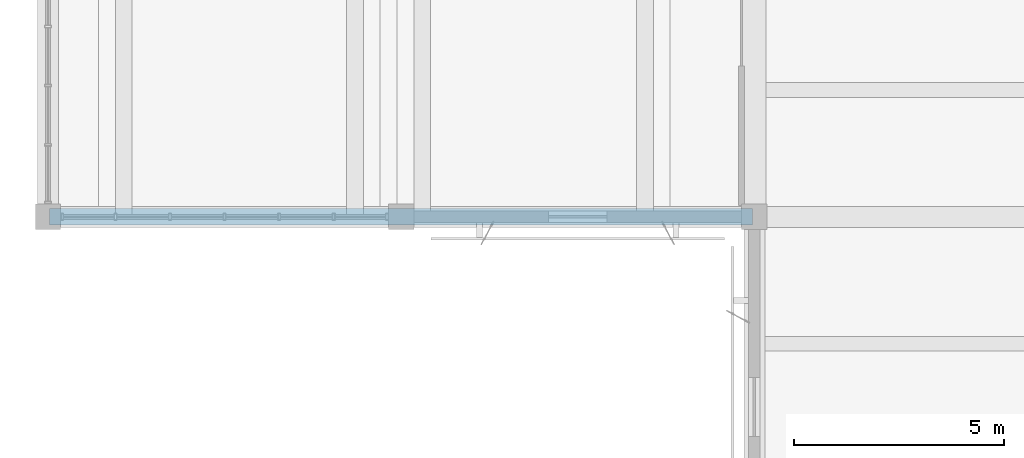
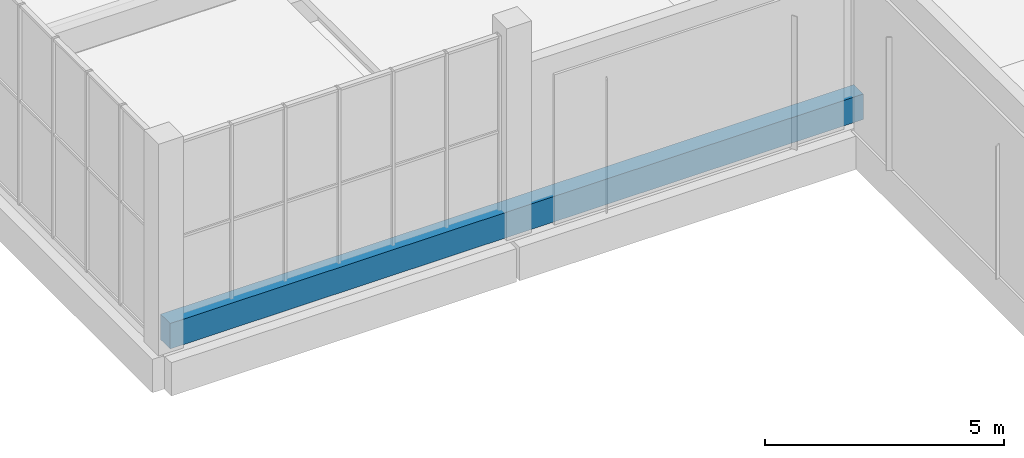
# One storey, part 19 of 132: 1 beam.
"""IFC4 building model written with IfcOpenShell, lengths in metres."""

from ifc_helpers import new_model, si_unit, direction, frame, origin, origin_2d, place, context, subcontext, project, spatial, rectangle, extrude, material, material_profile, profile_set, type_object, element, save


model = new_model("IFC4")

# Units and contexts
model_context = context("Model", 3, precision=1e-05, world=origin(), true_north=direction((0.0, 1.0)))
body_context = subcontext(model_context, "Body", "Model", "MODEL_VIEW")
ifc_project = project(units=[si_unit("LENGTHUNIT", "METRE"), si_unit("AREAUNIT", "SQUARE_METRE"), si_unit("VOLUMEUNIT", "CUBIC_METRE"), si_unit("PLANEANGLEUNIT", "RADIAN"), si_unit("MASSUNIT", "GRAM", prefix="KILO")], contexts=[model_context])

# Site, building, storey
site_placement = place(None, origin())
site = spatial("IfcSite", under=ifc_project, at=site_placement, CompositionType="ELEMENT")
building_placement = place(site_placement, origin())
building = spatial("IfcBuilding", under=site, at=building_placement, Name="Khurvash Pelagic Aquarium", CompositionType="ELEMENT")
storey_placement = place(building_placement, frame((0.0, 0.0, 5.39990234375)))
storey = spatial("IfcBuildingStorey", under=building, at=storey_placement, Name="L01", CompositionType="ELEMENT", Elevation=5.39990234375)

# Beam
ifc_material = material(Name="Concrete C35/45", Category="concrete")
ifc_material_profile = material_profile(ifc_material, rectangle(XDim=0.39990234375, YDim=0.64990234375, at=origin_2d()), Name="RC400X650")
ifc_profile_set = profile_set([ifc_material_profile], Name="Concrete C35/45")
beam_type = type_object("IfcBeamType", Name="BM-05", PredefinedType="BEAM", material=ifc_profile_set)
beam_placement = place(storey_placement, frame((0.0400390625, 56.89990234375, 0.3251953125), z_axis=(1.0, 0.0, 0.0), x_axis=(0.0, 1.0, 0.0)))
element("IfcBeam", 1, at=beam_placement, inside=storey, type_object=beam_type, Name="L01 Auditorium Seating Tier Girder BM-05 1", PredefinedType="BEAM", context=body_context, shape_type="SweptSolid", body=[
    extrude(rectangle(XDim=0.39990234375, YDim=0.64990234375, at=origin_2d()), origin(), (0.0, 0.0, 1.0), 16.719970703125),
])

save(model, "model.ifc")
